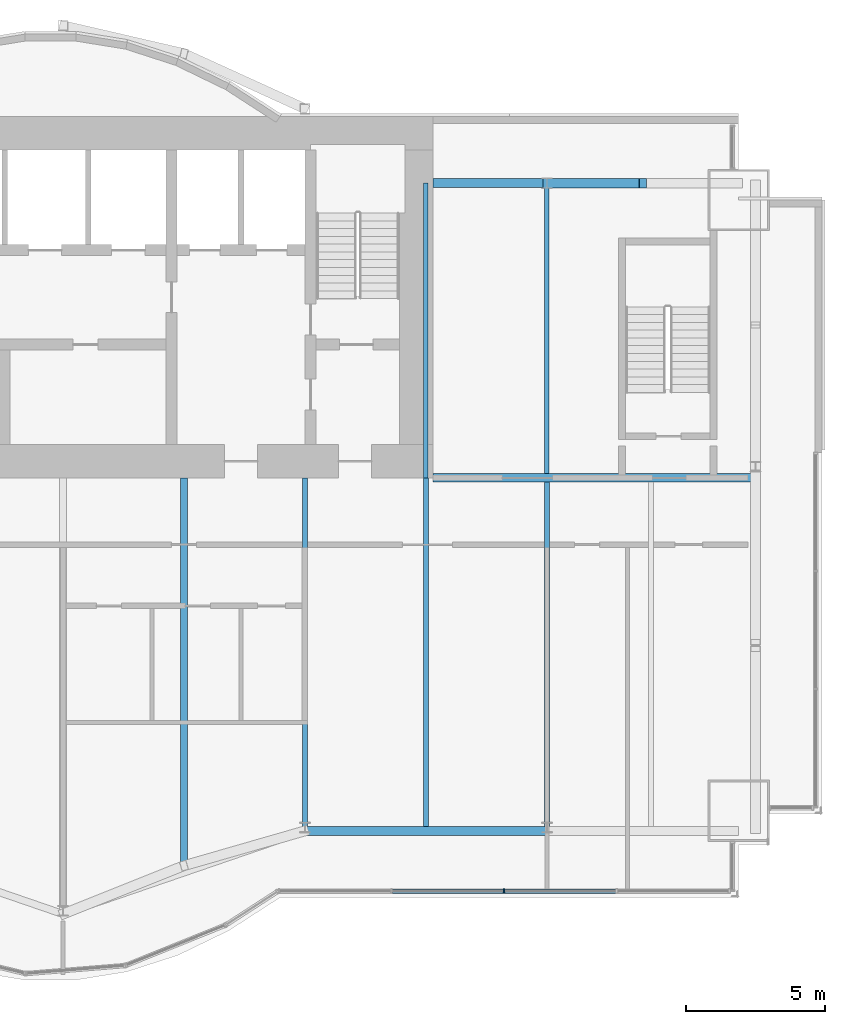
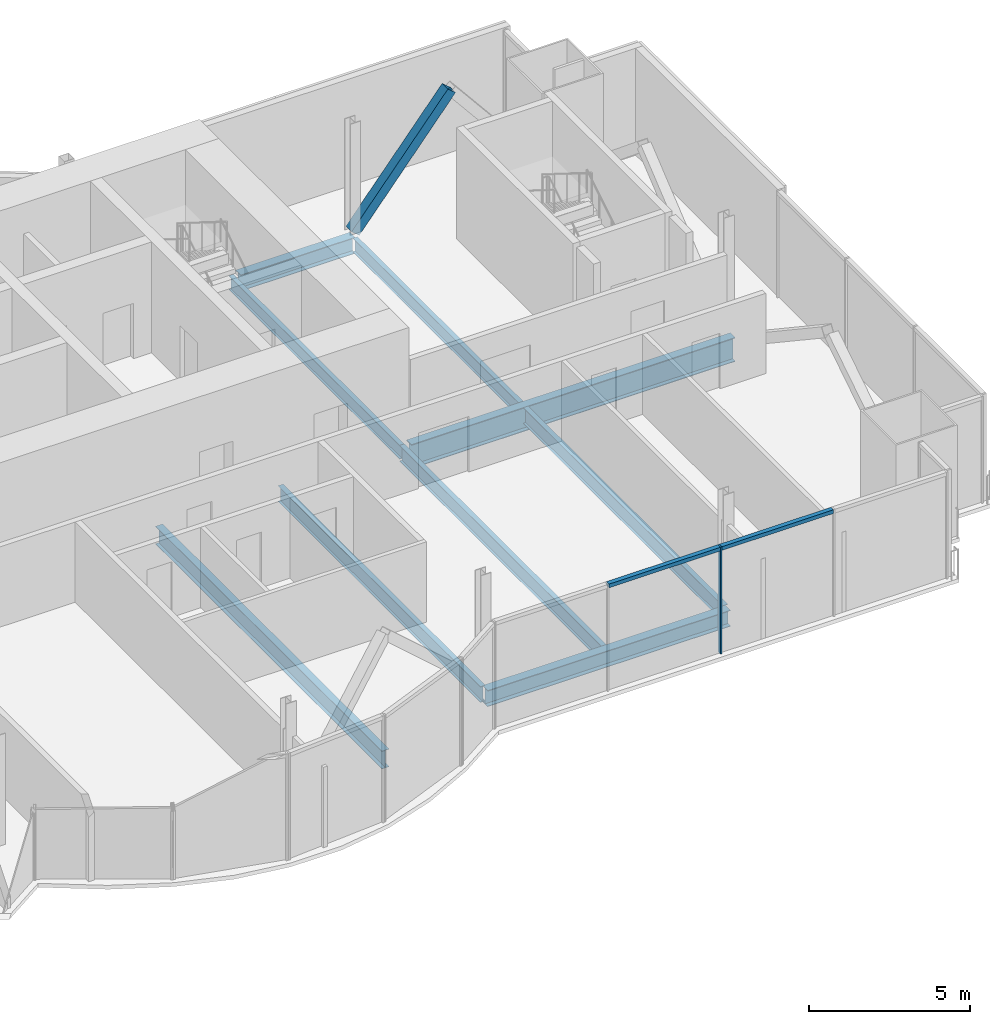
# One storey, part 9 of 19: 9 beams, 4 members, 1 element without a shape of its own.
"""IFC4 building model written with IfcOpenShell, lengths in metres."""

from ifc_helpers import new_model, si_unit, direction, frame, origin, origin_2d, place, context, subcontext, project, spatial, rectangle, hollow_rectangle, i_section, extrude, material, material_profile, profile_set, type_object, element, aggregate, save


model = new_model("IFC4")

# Units and contexts
model_context = context("Model", 3, precision=1e-05, world=origin(), true_north=direction((0.0, 1.0)))
body_context = subcontext(model_context, "Body", "Model", "MODEL_VIEW")
ifc_project = project(units=[si_unit("LENGTHUNIT", "METRE"), si_unit("AREAUNIT", "SQUARE_METRE"), si_unit("VOLUMEUNIT", "CUBIC_METRE"), si_unit("PLANEANGLEUNIT", "RADIAN"), si_unit("MASSUNIT", "GRAM", prefix="KILO")], contexts=[model_context])

# Site, building, storey
site_placement = place(None, origin())
site = spatial("IfcSite", under=ifc_project, at=site_placement, CompositionType="ELEMENT")
building_placement = place(site_placement, origin())
building = spatial("IfcBuilding", under=site, at=building_placement, Name="Bicima Exchange Tower", CompositionType="ELEMENT")
storey_placement = place(building_placement, frame((0.0, 0.0, 279.199951171875)))
storey = spatial("IfcBuildingStorey", under=building, at=storey_placement, Name="L63", CompositionType="ELEMENT", Elevation=279.199951171875)

# Beams
ifc_material_1 = material(Name="Steel ASTM A992 Gr 50", Category="steel")
ifc_material_profile_1 = material_profile(ifc_material_1, i_section(OverallWidth=0.3046875, OverallDepth=0.911865234375, WebThickness=0.015869140625, FlangeThickness=0.02392578125, at=origin_2d()))
ifc_profile_set_1 = profile_set([ifc_material_profile_1], Name="Steel ASTM A992 Gr 50")
beam_type_1 = type_object("IfcBeamType", Name="Core-line girder W36x150", PredefinedType="BEAM", material=ifc_profile_set_1)
beam_1_placement = place(storey_placement, frame((22.0, -13.0, -0.60595703125), z_axis=(1.0, 0.0, 0.0), x_axis=(0.0, 1.0, 0.0)))
element("IfcBeam", 1, at=beam_1_placement, inside=storey, type_object=beam_type_1, Name="Core-line girder", PredefinedType="BEAM", context=body_context, shape_type="SweptSolid", body=[
    extrude(i_section(OverallWidth=0.3046875, OverallDepth=0.911865234375, WebThickness=0.015869140625, FlangeThickness=0.02392578125, at=origin_2d()), origin(), (0.0, 0.0, 1.0), 11.60009765625),
])
ifc_material_profile_2 = material_profile(ifc_material_1, i_section(OverallWidth=0.165771484375, OverallDepth=0.5283203125, WebThickness=0.009765625, FlangeThickness=0.013671875, at=origin_2d()))
ifc_profile_set_2 = profile_set([ifc_material_profile_2], Name="Steel ASTM A992 Gr 50")
beam_type_2 = type_object("IfcBeamType", Name="Floor beam W21x50", PredefinedType="JOIST", material=ifc_profile_set_2)
beam_2_placement = place(storey_placement, frame((21.75, -2.39990234375, -0.4140625), z_axis=(0.0, -1.0, 0.0), x_axis=(1.0, 0.0, 0.0)))
element("IfcBeam", 2, at=beam_2_placement, inside=storey, type_object=beam_type_2, Name="Floor beam", PredefinedType="JOIST", context=body_context, shape_type="SweptSolid", body=[
    extrude(i_section(OverallWidth=0.165771484375, OverallDepth=0.5283203125, WebThickness=0.009765625, FlangeThickness=0.013671875, at=origin_2d()), origin(), (0.0, 0.0, 1.0), 10.60009765625),
])
beam_3_placement = place(storey_placement, frame((26.10009765625, -2.5625, -0.4140625), z_axis=(0.0, -1.0, 0.0), x_axis=(1.0, 0.0, 0.0)))
element("IfcBeam", 3, at=beam_3_placement, inside=storey, type_object=beam_type_2, Name="Floor beam", PredefinedType="JOIST", context=body_context, shape_type="SweptSolid", body=[
    extrude(i_section(OverallWidth=0.165771484375, OverallDepth=0.5283203125, WebThickness=0.009765625, FlangeThickness=0.013671875, at=origin_2d()), origin(), (0.0, 0.0, 1.0), 10.28515625),
])
ifc_material_profile_3 = material_profile(ifc_material_1, i_section(OverallWidth=0.177978515625, OverallDepth=0.599365234375, WebThickness=0.010009765625, FlangeThickness=0.012939453125, at=origin_2d()))
ifc_profile_set_3 = profile_set([ifc_material_profile_3], Name="Steel ASTM A992 Gr 50")
beam_type_3 = type_object("IfcBeamType", Name="Floor beam W24x55", PredefinedType="JOIST", material=ifc_profile_set_3)
beam_4_placement = place(storey_placement, frame((17.39990234375, -13.0, -0.44970703125), z_axis=(0.0, -1.0, 0.0), x_axis=(1.0, 0.0, 0.0)))
element("IfcBeam", 4, at=beam_4_placement, inside=storey, type_object=beam_type_3, Name="Floor beam", PredefinedType="JOIST", context=body_context, shape_type="SweptSolid", body=[
    extrude(i_section(OverallWidth=0.177978515625, OverallDepth=0.599365234375, WebThickness=0.010009765625, FlangeThickness=0.012939453125, at=origin_2d()), origin(), (0.0, 0.0, 1.0), 12.556396484375),
])
beam_5_placement = place(storey_placement, frame((21.75, -13.0, -0.44970703125), z_axis=(0.0, -1.0, 0.0), x_axis=(1.0, 0.0, 0.0)))
element("IfcBeam", 5, at=beam_5_placement, inside=storey, type_object=beam_type_3, Name="Floor beam", PredefinedType="JOIST", context=body_context, shape_type="SweptSolid", body=[
    extrude(i_section(OverallWidth=0.177978515625, OverallDepth=0.599365234375, WebThickness=0.010009765625, FlangeThickness=0.012939453125, at=origin_2d()), origin(), (0.0, 0.0, 1.0), 12.529296875),
])
beam_6_placement = place(storey_placement, frame((26.10009765625, -13.15234375, -0.44970703125), z_axis=(0.0, -1.0, 0.0), x_axis=(1.0, 0.0, 0.0)))
element("IfcBeam", 6, at=beam_6_placement, inside=storey, type_object=beam_type_3, Name="Floor beam", PredefinedType="JOIST", context=body_context, shape_type="SweptSolid", body=[
    extrude(i_section(OverallWidth=0.177978515625, OverallDepth=0.599365234375, WebThickness=0.010009765625, FlangeThickness=0.012939453125, at=origin_2d()), origin(), (0.0, 0.0, 1.0), 12.376953125),
])
ifc_material_profile_4 = material_profile(ifc_material_1, i_section(OverallWidth=0.25390625, OverallDepth=0.67822265625, WebThickness=0.01171875, FlangeThickness=0.016357421875, at=origin_2d()))
ifc_profile_set_4 = profile_set([ifc_material_profile_4], Name="Steel ASTM A992 Gr 50")
beam_type_4 = type_object("IfcBeamType", Name="Floor beam W27x84", PredefinedType="JOIST", material=ifc_profile_set_4)
beam_7_placement = place(storey_placement, frame((13.050048828125, -13.0, -0.489013671875), z_axis=(0.0, -1.0, 0.0), x_axis=(1.0, 0.0, 0.0)))
element("IfcBeam", 7, at=beam_7_placement, inside=storey, type_object=beam_type_4, Name="Floor beam", PredefinedType="JOIST", context=body_context, shape_type="SweptSolid", body=[
    extrude(i_section(OverallWidth=0.25390625, OverallDepth=0.67822265625, WebThickness=0.01171875, FlangeThickness=0.016357421875, at=origin_2d()), origin(), (0.0, 0.0, 1.0), 14.052001953125),
])
ifc_material_profile_5 = material_profile(ifc_material_1, i_section(OverallWidth=0.3251953125, OverallDepth=0.612060546875, WebThickness=0.0126953125, FlangeThickness=0.01904296875, at=origin_2d()))
ifc_profile_set_5 = profile_set([ifc_material_profile_5], Name="Steel ASTM A992 Gr 50")
beam_type_5 = type_object("IfcBeamType", Name="Front girder W24x104", PredefinedType="BEAM", material=ifc_profile_set_5)
beam_8_placement = place(storey_placement, frame((17.39990234375, -25.69189453125, -0.4560546875), z_axis=(1.0, 0.0, 0.0), x_axis=(0.0, 1.0, 0.0)))
element("IfcBeam", 8, at=beam_8_placement, inside=storey, type_object=beam_type_5, Name="Front girder", PredefinedType="BEAM", context=body_context, shape_type="SweptSolid", body=[
    extrude(i_section(OverallWidth=0.3251953125, OverallDepth=0.612060546875, WebThickness=0.0126953125, FlangeThickness=0.01904296875, at=origin_2d()), origin(), (0.0, 0.0, 1.0), 8.7001953125),
])

# Curtain wall, members
ifc_material_2 = material(Name="Anodised bronze aluminium", Category="aluminium")
curtain_wall_type = type_object("IfcCurtainWallType", Name="Front glass wall", PredefinedType="NOTDEFINED", material=ifc_material_2)
curtain_wall_placement = place(storey_placement, origin())
curtain_wall = element("IfcCurtainWall", 9, at=curtain_wall_placement, inside=storey, type_object=curtain_wall_type, Name="Front glass wall L63 run 16", PredefinedType="NOTDEFINED")
ifc_material_profile_6 = material_profile(ifc_material_2, rectangle(XDim=0.159912109375, YDim=0.06005859375, at=origin_2d()))
ifc_profile_set_6 = profile_set([ifc_material_profile_6], Name="Anodised bronze aluminium")
member_type_1 = type_object("IfcMemberType", Name="Front glass wall mullion 60 x 160", PredefinedType="MULLION", material=ifc_profile_set_6)
member_1_placement = place(storey_placement, frame((24.56103515625, -27.862060546875, 0.0), z_axis=(0.0, 0.0, 1.0), x_axis=(0.0, 1.0, 0.0)))
member_1 = element("IfcMember", 10, at=member_1_placement, type_object=member_type_1, Name="Front glass wall mullion 3", PredefinedType="MULLION", context=body_context, shape_type="SweptSolid", body=[
    extrude(rectangle(XDim=0.159912109375, YDim=0.06005859375, at=origin_2d()), origin(), (0.0, 0.0, 1.0), 4.050048828125),
])
ifc_material_profile_7 = material_profile(ifc_material_2, rectangle(XDim=0.159912109375, YDim=0.139892578125, at=origin_2d()))
ifc_profile_set_7 = profile_set([ifc_material_profile_7], Name="Anodised bronze aluminium")
member_type_2 = type_object("IfcMemberType", Name="Front glass wall transom 140 x 160", PredefinedType="USERDEFINED", material=ifc_profile_set_7)
member_2_placement = place(storey_placement, frame((20.54150390625, -27.862060546875, 3.97998046875), z_axis=(1.0, 0.0, 0.0), x_axis=(0.0, 1.0, 0.0)))
member_2 = element("IfcMember", 11, at=member_2_placement, type_object=member_type_2, Name="Front glass wall transom 2.1", ObjectType="TRANSOM", PredefinedType="USERDEFINED", context=body_context, shape_type="SweptSolid", body=[
    extrude(rectangle(XDim=0.159912109375, YDim=0.139892578125, at=origin_2d()), origin(), (0.0, 0.0, 1.0), 3.989501953125),
])
member_3_placement = place(storey_placement, frame((24.591064453125, -27.862060546875, 3.97998046875), z_axis=(1.0, 0.0, 0.0), x_axis=(0.0, 1.0, 0.0)))
member_3 = element("IfcMember", 12, at=member_3_placement, type_object=member_type_2, Name="Front glass wall transom 3.1", ObjectType="TRANSOM", PredefinedType="USERDEFINED", context=body_context, shape_type="SweptSolid", body=[
    extrude(rectangle(XDim=0.159912109375, YDim=0.139892578125, at=origin_2d()), origin(), (0.0, 0.0, 1.0), 3.989501953125),
])
aggregate(curtain_wall, [member_1, member_2, member_3])

# Member
ifc_material_3 = material(Name="Steel ASTM A572 Gr 50", Category="steel")
ifc_material_profile_8 = material_profile(ifc_material_3, hollow_rectangle(XDim=0.355712890625, YDim=0.355712890625, WallThickness=0.0146484375, at=origin_2d()))
ifc_profile_set_8 = profile_set([ifc_material_profile_8], Name="Steel ASTM A572 Gr 50")
member_type_3 = type_object("IfcMemberType", Name="Mega brace HSS14x14x5/8", PredefinedType="BRACE", material=ifc_profile_set_8)
member_4_placement = place(storey_placement, frame((26.10009765625, -2.39990234375, 0.0), z_axis=(0.63473846547, 0.0, 0.772727041362), x_axis=(0.0, 1.0, 0.0)))
element("IfcMember", 13, at=member_4_placement, inside=storey, type_object=member_type_3, Name="Mega brace rear", PredefinedType="BRACE", context=body_context, shape_type="SweptSolid", body=[
    extrude(hollow_rectangle(XDim=0.355712890625, YDim=0.355712890625, WallThickness=0.0146484375, at=origin_2d()), origin(), (0.0, 0.0, 1.0), 5.435302734375),
])

# Beam
beam_type_6 = type_object("IfcBeamType", Name="Rear girder W24x104", PredefinedType="BEAM", material=ifc_profile_set_5)
beam_9_placement = place(storey_placement, frame((22.0, -2.39990234375, -0.4560546875), z_axis=(1.0, 0.0, 0.0), x_axis=(0.0, 1.0, 0.0)))
element("IfcBeam", 14, at=beam_9_placement, inside=storey, type_object=beam_type_6, Name="Rear girder", PredefinedType="BEAM", context=body_context, shape_type="SweptSolid", body=[
    extrude(i_section(OverallWidth=0.3251953125, OverallDepth=0.612060546875, WebThickness=0.0126953125, FlangeThickness=0.01904296875, at=origin_2d()), origin(), (0.0, 0.0, 1.0), 4.10009765625),
])

save(model, "model.ifc")
